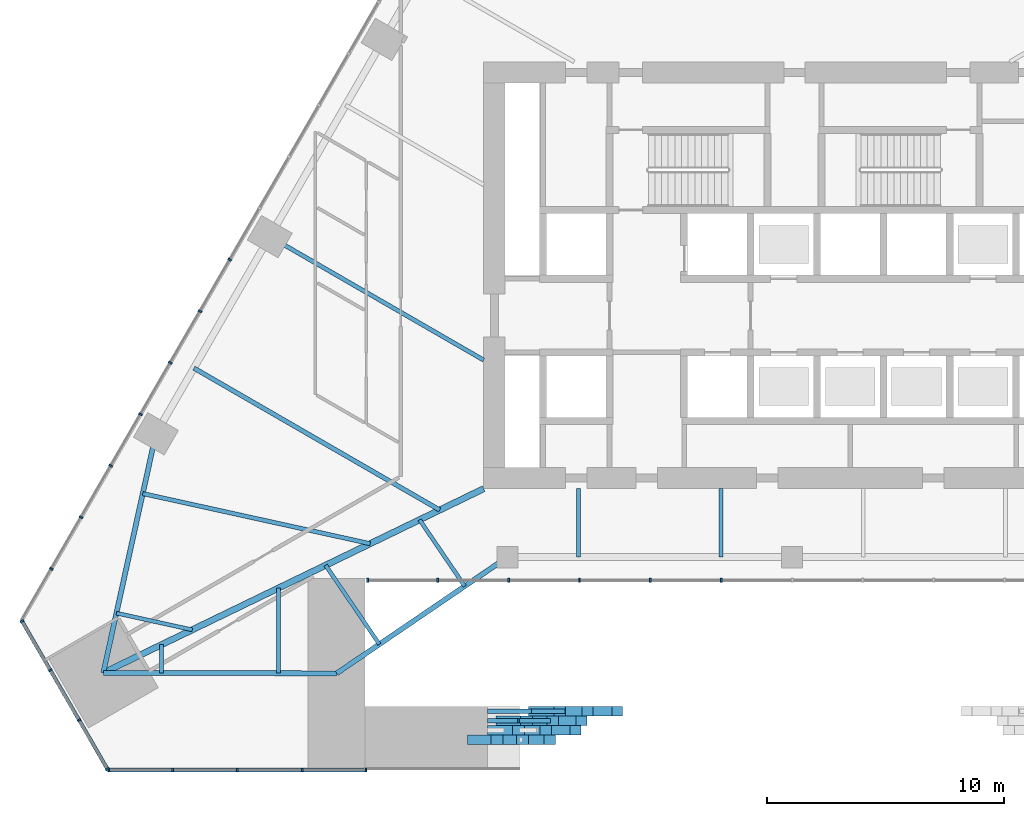
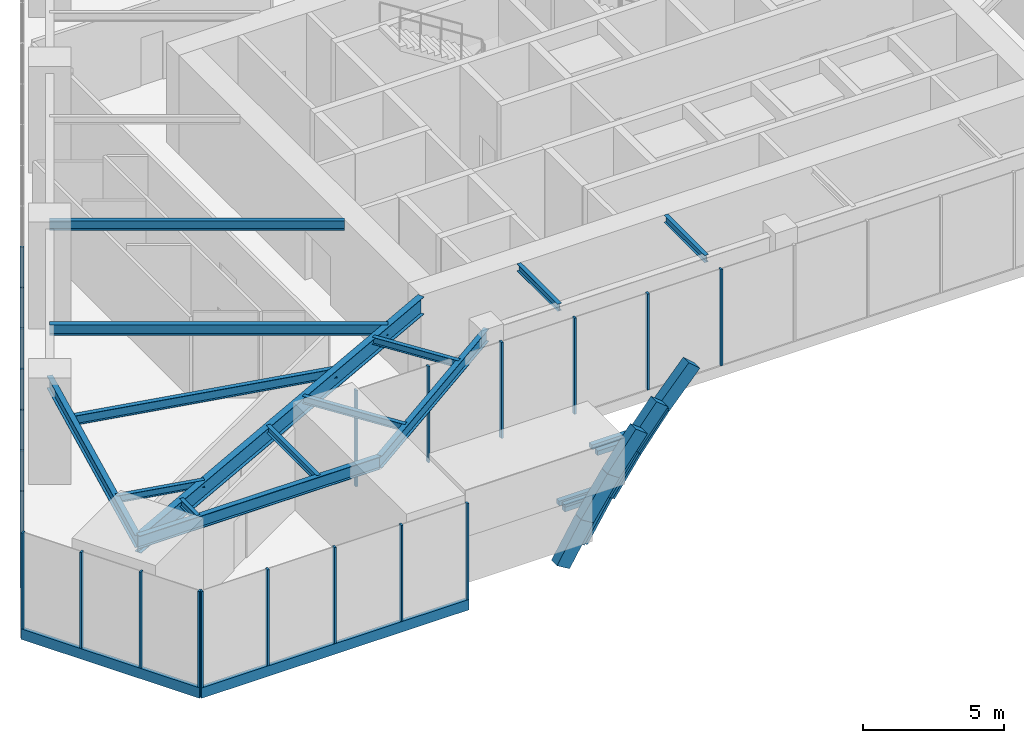
# One storey, part 3 of 29: 36 members, 19 beams, 4 elements without a shape of their own.
"""IFC4 building model written with IfcOpenShell, lengths in metres."""

from ifc_helpers import new_model, si_unit, direction, frame, origin, origin_2d, place, context, subcontext, project, spatial, rectangle, i_section, extrude, material, layer, layer_set, material_profile, profile_set, type_object, element, aggregate, save


model = new_model("IFC4")

# Units and contexts
model_context = context("Model", 3, precision=1e-05, world=origin(), true_north=direction((0.0, 1.0)))
body_context = subcontext(model_context, "Body", "Model", "MODEL_VIEW")
ifc_project = project(units=[si_unit("LENGTHUNIT", "METRE"), si_unit("AREAUNIT", "SQUARE_METRE"), si_unit("VOLUMEUNIT", "CUBIC_METRE"), si_unit("PLANEANGLEUNIT", "RADIAN"), si_unit("MASSUNIT", "GRAM", prefix="KILO")], contexts=[model_context])

# Site, building, storey
site_placement = place(None, origin())
site = spatial("IfcSite", under=ifc_project, at=site_placement, CompositionType="ELEMENT")
building_placement = place(site_placement, origin())
building = spatial("IfcBuilding", under=site, at=building_placement, Name="Firuza Gate Tower and Library", CompositionType="ELEMENT")
storey_placement = place(building_placement, frame((0.0, 0.0, 17.199951171875)))
storey = spatial("IfcBuildingStorey", under=building, at=storey_placement, Name="L03", CompositionType="ELEMENT", Elevation=17.199951171875)

# Members
ifc_material_1 = material(Name="Concrete C60/75", Category="concrete")
ifc_material_profile_1 = material_profile(ifc_material_1, rectangle(XDim=0.39990234375, YDim=0.60009765625, at=origin_2d()))
ifc_profile_set_1 = profile_set([ifc_material_profile_1], Name="Concrete C60/75")
member_type_1 = type_object("IfcMemberType", Name="Arch rib 600x400", PredefinedType="USERDEFINED", material=ifc_profile_set_1)
for number, where, z_axis, x_axis, name in (
    (1, (61.583251953125, 55.415283203125, -0.740234375), (0.511899506648, 0.0, 0.85904533937), (0.0, 1.0, 0.0), "Arch rib 1.10"),
    (2, (62.56103515625, 55.415283203125, 0.900634765625), (0.559674786195, 0.0, 0.828712334708), (0.0, 1.0, 0.0), "Arch rib 1.11"),
    (3, (63.630126953125, 55.415283203125, 2.483642578125), (0.605731233168, 0.0, 0.795669324007), (0.0, 1.0, 0.0), "Arch rib 1.12"),
):
    element("IfcMember", number, at=place(storey_placement, frame(where, z_axis=z_axis, x_axis=x_axis)), inside=storey, type_object=member_type_1, Name=name, ObjectType="ARCH RIB", PredefinedType="USERDEFINED", context=body_context, shape_type="SweptSolid", body=[
        extrude(rectangle(XDim=0.39990234375, YDim=0.60009765625, at=origin_2d()), origin(), (0.0, 0.0, 1.0), 1.91015625),
    ])
for number, where, z_axis, x_axis, name in (
    (4, (62.419677734375, 55.8154296875, -0.25537109375), (0.53270831624, 0.0, 0.846298912801), (0.0, 1.0, 0.0), "Arch rib 2.10"),
    (5, (63.471435546875, 55.8154296875, 1.41552734375), (0.581904715012, 0.0, 0.813256972086), (0.0, 1.0, 0.0), "Arch rib 2.11"),
    (6, (64.620361328125, 55.8154296875, 3.021240234375), (0.629013242328, 0.0, 0.777394585122), (0.0, 1.0, 0.0), "Arch rib 2.12"),
):
    element("IfcMember", number, at=place(storey_placement, frame(where, z_axis=z_axis, x_axis=x_axis)), inside=storey, type_object=member_type_1, Name=name, ObjectType="ARCH RIB", PredefinedType="USERDEFINED", context=body_context, shape_type="SweptSolid", body=[
        extrude(rectangle(XDim=0.39990234375, YDim=0.60009765625, at=origin_2d()), origin(), (0.0, 0.0, 1.0), 1.974365234375),
    ])
member_1_placement = place(storey_placement, frame((62.77880859375, 56.21533203125, -0.597412109375), z_axis=(0.528010455705, 0.0, 0.849237869308), x_axis=(0.0, 1.0, 0.0)))
element("IfcMember", 7, at=member_1_placement, inside=storey, type_object=member_type_1, Name="Arch rib 3.10", ObjectType="ARCH RIB", PredefinedType="USERDEFINED", context=body_context, shape_type="SweptSolid", body=[
    extrude(rectangle(XDim=0.39990234375, YDim=0.60009765625, at=origin_2d()), origin(), (0.0, 0.0, 1.0), 1.932861328125),
])
member_2_placement = place(storey_placement, frame((63.79931640625, 56.21533203125, 1.0439453125), z_axis=(0.576831985558, 0.0, 0.816862816167), x_axis=(0.0, 1.0, 0.0)))
element("IfcMember", 8, at=member_2_placement, inside=storey, type_object=member_type_1, Name="Arch rib 3.11", ObjectType="ARCH RIB", PredefinedType="USERDEFINED", context=body_context, shape_type="SweptSolid", body=[
    extrude(rectangle(XDim=0.39990234375, YDim=0.60009765625, at=origin_2d()), origin(), (0.0, 0.0, 1.0), 1.9326171875),
])
member_3_placement = place(storey_placement, frame((64.9140625, 56.21533203125, 2.62255859375), z_axis=(0.623600760544, 0.0, 0.781742982987), x_axis=(0.0, 1.0, 0.0)))
element("IfcMember", 9, at=member_3_placement, inside=storey, type_object=member_type_1, Name="Arch rib 3.12", ObjectType="ARCH RIB", PredefinedType="USERDEFINED", context=body_context, shape_type="SweptSolid", body=[
    extrude(rectangle(XDim=0.39990234375, YDim=0.60009765625, at=origin_2d()), origin(), (0.0, 0.0, 1.0), 1.932861328125),
])
member_4_placement = place(storey_placement, frame((64.12744140625, 56.615478515625, 0.6728515625), z_axis=(0.571450281234, 0.0, 0.820636689454), x_axis=(0.0, 1.0, 0.0)))
element("IfcMember", 10, at=member_4_placement, inside=storey, type_object=member_type_1, Name="Arch rib 4.11", ObjectType="ARCH RIB", PredefinedType="USERDEFINED", context=body_context, shape_type="SweptSolid", body=[
    extrude(rectangle(XDim=0.39990234375, YDim=0.60009765625, at=origin_2d()), origin(), (0.0, 0.0, 1.0), 1.890869140625),
])
for number, where, z_axis, x_axis, name in (
    (11, (65.2080078125, 56.615478515625, 2.224609375), (0.618123686429, 0.0, 0.786080853523), (0.0, 1.0, 0.0), "Arch rib 4.12"),
    (12, (66.376953125, 56.615478515625, 3.711181640625), (0.662534883834, 0.0, 0.749031059238), (0.0, 1.0, 0.0), "Arch rib 4.13"),
):
    element("IfcMember", number, at=place(storey_placement, frame(where, z_axis=z_axis, x_axis=x_axis)), inside=storey, type_object=member_type_1, Name=name, ObjectType="ARCH RIB", PredefinedType="USERDEFINED", context=body_context, shape_type="SweptSolid", body=[
        extrude(rectangle(XDim=0.39990234375, YDim=0.60009765625, at=origin_2d()), origin(), (0.0, 0.0, 1.0), 1.89111328125),
    ])

# Beams
ifc_material_2 = material(Name="Concrete C60/75", Category="concrete")
ifc_material_profile_2 = material_profile(ifc_material_2, rectangle(XDim=0.199951171875, YDim=0.199951171875, at=origin_2d()))
ifc_profile_set_2 = profile_set([ifc_material_profile_2], Name="Concrete C60/75")
beam_type_1 = type_object("IfcBeamType", Name="Arch rib bracket 200x200", PredefinedType="BEAM", material=ifc_profile_set_2)
beam_1_placement = place(storey_placement, frame((62.16552734375, 56.21533203125, 0.993896484375), z_axis=(1.0, 0.0, 0.0), x_axis=(0.0, 1.0, 0.0)))
element("IfcBeam", 13, at=beam_1_placement, inside=storey, type_object=beam_type_1, Name="Arch rib bracket 3.10", PredefinedType="BEAM", context=body_context, shape_type="SweptSolid", body=[
    extrude(rectangle(XDim=0.199951171875, YDim=0.199951171875, at=origin_2d()), origin(), (0.0, 0.0, 1.0), 1.259521484375),
])
beam_2_placement = place(storey_placement, frame((62.16552734375, 56.21533203125, 1.093994140625), z_axis=(1.0, 0.0, 0.0), x_axis=(0.0, 1.0, 0.0)))
element("IfcBeam", 14, at=beam_2_placement, inside=storey, type_object=beam_type_1, Name="Arch rib bracket 3.11", PredefinedType="BEAM", context=body_context, shape_type="SweptSolid", body=[
    extrude(rectangle(XDim=0.199951171875, YDim=0.199951171875, at=origin_2d()), origin(), (0.0, 0.0, 1.0), 1.311767578125),
])
beam_3_placement = place(storey_placement, frame((63.508056640625, 56.21533203125, 2.954833984375), z_axis=(1.0, 0.0, 0.0), x_axis=(0.0, 1.0, 0.0)))
element("IfcBeam", 15, at=beam_3_placement, inside=storey, type_object=beam_type_1, Name="Arch rib bracket 3.12", PredefinedType="BEAM", context=body_context, shape_type="SweptSolid", body=[
    extrude(rectangle(XDim=0.199951171875, YDim=0.199951171875, at=origin_2d()), origin(), (0.0, 0.0, 1.0), 1.29736328125),
])
beam_4_placement = place(storey_placement, frame((62.16552734375, 56.615478515625, 1.01318359375), z_axis=(1.0, 0.0, 0.0), x_axis=(0.0, 1.0, 0.0)))
element("IfcBeam", 16, at=beam_4_placement, inside=storey, type_object=beam_type_1, Name="Arch rib bracket 4.11", PredefinedType="BEAM", context=body_context, shape_type="SweptSolid", body=[
    extrude(rectangle(XDim=0.199951171875, YDim=0.199951171875, at=origin_2d()), origin(), (0.0, 0.0, 1.0), 1.84326171875),
])
beam_5_placement = place(storey_placement, frame((63.508056640625, 56.615478515625, 2.968017578125), z_axis=(1.0, 0.0, 0.0), x_axis=(0.0, 1.0, 0.0)))
element("IfcBeam", 17, at=beam_5_placement, inside=storey, type_object=beam_type_1, Name="Arch rib bracket 4.12", PredefinedType="BEAM", context=body_context, shape_type="SweptSolid", body=[
    extrude(rectangle(XDim=0.199951171875, YDim=0.199951171875, at=origin_2d()), origin(), (0.0, 0.0, 1.0), 1.912841796875),
])

# Curtain wall, members
ifc_material_3 = material(Name="Aluminium 6063-T6", Category="aluminium")
ifc_layer_1 = layer(ifc_material_3, 0.14990234375)
ifc_layer_set_1 = layer_set([ifc_layer_1], Name="Stick curtain wall, podium")
curtain_wall_type_1 = type_object("IfcCurtainWallType", Name="Stick curtain wall, podium", PredefinedType="NOTDEFINED", material=ifc_layer_set_1)
placement = place(storey_placement, origin())
curtain_wall_1 = element("IfcCurtainWall", 18, at=placement, inside=storey, type_object=curtain_wall_type_1, Name="CW5 L03 S", PredefinedType="NOTDEFINED")
ifc_material_4 = material(Name="Aluminium 6063-T6", Category="aluminium")
ifc_material_profile_3 = material_profile(ifc_material_4, rectangle(XDim=0.14990234375, YDim=0.080078125, at=origin_2d()))
ifc_profile_set_3 = profile_set([ifc_material_profile_3], Name="Aluminium 6063-T6")
member_type_2 = type_object("IfcMemberType", Name="Curtain wall mullion 80x150", PredefinedType="MULLION", material=ifc_profile_set_3)
member_5_placement = place(storey_placement, frame((46.19677734375, 54.140380859375, 0.150146484375), z_axis=(0.0, 0.0, 1.0), x_axis=(0.0, 1.0, 0.0)))
member_5 = element("IfcMember", 19, at=member_5_placement, type_object=member_type_2, Name="Mullion", PredefinedType="MULLION", context=body_context, shape_type="SweptSolid", body=[
    extrude(rectangle(XDim=0.14990234375, YDim=0.080078125, at=origin_2d()), origin(), (0.0, 0.0, 1.0), 4.14990234375),
])
member_6_placement = place(storey_placement, frame((48.88623046875, 54.140380859375, 0.150146484375), z_axis=(0.0, 0.0, 1.0), x_axis=(0.0, 1.0, 0.0)))
member_6 = element("IfcMember", 20, at=member_6_placement, type_object=member_type_2, Name="Mullion", PredefinedType="MULLION", context=body_context, shape_type="SweptSolid", body=[
    extrude(rectangle(XDim=0.14990234375, YDim=0.080078125, at=origin_2d()), origin(), (0.0, 0.0, 1.0), 4.14990234375),
])
member_7_placement = place(storey_placement, frame((51.615966796875, 54.140380859375, 0.150146484375), z_axis=(0.0, 0.0, 1.0), x_axis=(0.0, 1.0, 0.0)))
member_7 = element("IfcMember", 21, at=member_7_placement, type_object=member_type_2, Name="Mullion", PredefinedType="MULLION", context=body_context, shape_type="SweptSolid", body=[
    extrude(rectangle(XDim=0.14990234375, YDim=0.080078125, at=origin_2d()), origin(), (0.0, 0.0, 1.0), 4.14990234375),
])
member_8_placement = place(storey_placement, frame((54.345458984375, 54.140380859375, 0.150146484375), z_axis=(0.0, 0.0, 1.0), x_axis=(0.0, 1.0, 0.0)))
member_8 = element("IfcMember", 22, at=member_8_placement, type_object=member_type_2, Name="Mullion", PredefinedType="MULLION", context=body_context, shape_type="SweptSolid", body=[
    extrude(rectangle(XDim=0.14990234375, YDim=0.080078125, at=origin_2d()), origin(), (0.0, 0.0, 1.0), 4.14990234375),
])
member_9_placement = place(storey_placement, frame((57.034912109375, 54.140380859375, 0.150146484375), z_axis=(0.0, 0.0, 1.0), x_axis=(0.0, 1.0, 0.0)))
member_9 = element("IfcMember", 23, at=member_9_placement, type_object=member_type_2, Name="Mullion", PredefinedType="MULLION", context=body_context, shape_type="SweptSolid", body=[
    extrude(rectangle(XDim=0.14990234375, YDim=0.080078125, at=origin_2d()), origin(), (0.0, 0.0, 1.0), 4.14990234375),
])

ifc_material_5 = material(Name="Aluminium 6063-T6", Category="aluminium")
ifc_layer_2 = layer(ifc_material_5, 0.14990234375)
ifc_layer_set_2 = layer_set([ifc_layer_2], Name="Stick curtain wall, gate lobby")
curtain_wall_type_2 = type_object("IfcCurtainWallType", Name="Stick curtain wall, gate lobby", PredefinedType="NOTDEFINED", material=ifc_layer_set_2)
curtain_wall_2 = element("IfcCurtainWall", 24, at=placement, inside=storey, type_object=curtain_wall_type_2, Name="CW7 L03 gate lobby", PredefinedType="NOTDEFINED")
member_10_placement = place(storey_placement, frame((57.114990234375, 62.140380859375, 0.150146484375), z_axis=(0.0, 0.0, 1.0), x_axis=(0.0, 1.0, 0.0)))
member_10 = element("IfcMember", 25, at=member_10_placement, type_object=member_type_2, Name="Mullion", PredefinedType="MULLION", context=body_context, shape_type="SweptSolid", body=[
    extrude(rectangle(XDim=0.14990234375, YDim=0.080078125, at=origin_2d()), origin(), (0.0, 0.0, 1.0), 4.14990234375),
])
member_11_placement = place(storey_placement, frame((60.0625, 62.140380859375, 0.150146484375), z_axis=(0.0, 0.0, 1.0), x_axis=(0.0, 1.0, 0.0)))
member_11 = element("IfcMember", 26, at=member_11_placement, type_object=member_type_2, Name="Mullion", PredefinedType="MULLION", context=body_context, shape_type="SweptSolid", body=[
    extrude(rectangle(XDim=0.14990234375, YDim=0.080078125, at=origin_2d()), origin(), (0.0, 0.0, 1.0), 4.14990234375),
])
member_12_placement = place(storey_placement, frame((63.050048828125, 62.140380859375, 0.150146484375), z_axis=(0.0, 0.0, 1.0), x_axis=(0.0, 1.0, 0.0)))
member_12 = element("IfcMember", 27, at=member_12_placement, type_object=member_type_2, Name="Mullion", PredefinedType="MULLION", context=body_context, shape_type="SweptSolid", body=[
    extrude(rectangle(XDim=0.14990234375, YDim=0.080078125, at=origin_2d()), origin(), (0.0, 0.0, 1.0), 4.14990234375),
])
member_13_placement = place(storey_placement, frame((66.03759765625, 62.140380859375, 0.150146484375), z_axis=(0.0, 0.0, 1.0), x_axis=(0.0, 1.0, 0.0)))
member_13 = element("IfcMember", 28, at=member_13_placement, type_object=member_type_2, Name="Mullion", PredefinedType="MULLION", context=body_context, shape_type="SweptSolid", body=[
    extrude(rectangle(XDim=0.14990234375, YDim=0.080078125, at=origin_2d()), origin(), (0.0, 0.0, 1.0), 4.14990234375),
])
member_14_placement = place(storey_placement, frame((69.02490234375, 62.140380859375, 0.150146484375), z_axis=(0.0, 0.0, 1.0), x_axis=(0.0, 1.0, 0.0)))
member_14 = element("IfcMember", 29, at=member_14_placement, type_object=member_type_2, Name="Mullion", PredefinedType="MULLION", context=body_context, shape_type="SweptSolid", body=[
    extrude(rectangle(XDim=0.14990234375, YDim=0.080078125, at=origin_2d()), origin(), (0.0, 0.0, 1.0), 4.14990234375),
])
member_15_placement = place(storey_placement, frame((72.012451171875, 62.140380859375, 0.150146484375), z_axis=(0.0, 0.0, 1.0), x_axis=(0.0, 1.0, 0.0)))
member_15 = element("IfcMember", 30, at=member_15_placement, type_object=member_type_2, Name="Mullion", PredefinedType="MULLION", context=body_context, shape_type="SweptSolid", body=[
    extrude(rectangle(XDim=0.14990234375, YDim=0.080078125, at=origin_2d()), origin(), (0.0, 0.0, 1.0), 4.14990234375),
])
aggregate(curtain_wall_2, [member_10, member_11, member_12, member_13, member_14, member_15])

curtain_wall_3 = element("IfcCurtainWall", 31, at=placement, inside=storey, type_object=curtain_wall_type_1, Name="CW5 L03 W", PredefinedType="NOTDEFINED")
member_16_placement = place(storey_placement, frame((51.291748046875, 75.655517578125, 0.150146484375), z_axis=(0.0, 0.0, 1.0), x_axis=(0.866025403784, -0.5, 0.0)))
member_16 = element("IfcMember", 32, at=member_16_placement, type_object=member_type_2, Name="Mullion", PredefinedType="MULLION", context=body_context, shape_type="SweptSolid", body=[
    extrude(rectangle(XDim=0.14990234375, YDim=0.080078125, at=origin_2d()), origin(), (0.0, 0.0, 1.0), 4.14990234375),
])
member_17_placement = place(storey_placement, frame((50.037841796875, 73.4833984375, 0.150146484375), z_axis=(0.0, 0.0, 1.0), x_axis=(0.866025403784, -0.5, 0.0)))
member_17 = element("IfcMember", 33, at=member_17_placement, type_object=member_type_2, Name="Mullion", PredefinedType="MULLION", context=body_context, shape_type="SweptSolid", body=[
    extrude(rectangle(XDim=0.14990234375, YDim=0.080078125, at=origin_2d()), origin(), (0.0, 0.0, 1.0), 4.14990234375),
])
member_18_placement = place(storey_placement, frame((48.78369140625, 71.311279296875, 0.150146484375), z_axis=(0.0, 0.0, 1.0), x_axis=(0.866025403784, -0.5, 0.0)))
member_18 = element("IfcMember", 34, at=member_18_placement, type_object=member_type_2, Name="Mullion", PredefinedType="MULLION", context=body_context, shape_type="SweptSolid", body=[
    extrude(rectangle(XDim=0.14990234375, YDim=0.080078125, at=origin_2d()), origin(), (0.0, 0.0, 1.0), 4.14990234375),
])
member_19_placement = place(storey_placement, frame((47.529541015625, 69.13916015625, 0.150146484375), z_axis=(0.0, 0.0, 1.0), x_axis=(0.866025403784, -0.5, 0.0)))
member_19 = element("IfcMember", 35, at=member_19_placement, type_object=member_type_2, Name="Mullion", PredefinedType="MULLION", context=body_context, shape_type="SweptSolid", body=[
    extrude(rectangle(XDim=0.14990234375, YDim=0.080078125, at=origin_2d()), origin(), (0.0, 0.0, 1.0), 4.14990234375),
])
member_20_placement = place(storey_placement, frame((46.275634765625, 66.967041015625, 0.150146484375), z_axis=(0.0, 0.0, 1.0), x_axis=(0.866025403784, -0.5, 0.0)))
member_20 = element("IfcMember", 36, at=member_20_placement, type_object=member_type_2, Name="Mullion", PredefinedType="MULLION", context=body_context, shape_type="SweptSolid", body=[
    extrude(rectangle(XDim=0.14990234375, YDim=0.080078125, at=origin_2d()), origin(), (0.0, 0.0, 1.0), 4.14990234375),
])
member_21_placement = place(storey_placement, frame((45.021484375, 64.794921875, 0.150146484375), z_axis=(0.0, 0.0, 1.0), x_axis=(0.866025403784, -0.5, 0.0)))
member_21 = element("IfcMember", 37, at=member_21_placement, type_object=member_type_2, Name="Mullion", PredefinedType="MULLION", context=body_context, shape_type="SweptSolid", body=[
    extrude(rectangle(XDim=0.14990234375, YDim=0.080078125, at=origin_2d()), origin(), (0.0, 0.0, 1.0), 4.14990234375),
])
member_22_placement = place(storey_placement, frame((43.767333984375, 62.622802734375, 0.150146484375), z_axis=(0.0, 0.0, 1.0), x_axis=(0.866025403784, -0.5, 0.0)))
member_22 = element("IfcMember", 38, at=member_22_placement, type_object=member_type_2, Name="Mullion", PredefinedType="MULLION", context=body_context, shape_type="SweptSolid", body=[
    extrude(rectangle(XDim=0.14990234375, YDim=0.080078125, at=origin_2d()), origin(), (0.0, 0.0, 1.0), 4.14990234375),
])
aggregate(curtain_wall_3, [member_16, member_17, member_18, member_19, member_20, member_21, member_22])

curtain_wall_4 = element("IfcCurtainWall", 39, at=placement, inside=storey, type_object=curtain_wall_type_1, Name="CW5 L03 SW", PredefinedType="NOTDEFINED")
member_23_placement = place(storey_placement, frame((42.533447265625, 60.416015625, 0.150146484375), z_axis=(0.0, 0.0, 1.0), x_axis=(0.866025403784, 0.5, 0.0)))
member_23 = element("IfcMember", 40, at=member_23_placement, type_object=member_type_2, Name="Mullion", PredefinedType="MULLION", context=body_context, shape_type="SweptSolid", body=[
    extrude(rectangle(XDim=0.14990234375, YDim=0.080078125, at=origin_2d()), origin(), (0.0, 0.0, 1.0), 4.14990234375),
])
member_24_placement = place(storey_placement, frame((43.727783203125, 58.347412109375, 0.150146484375), z_axis=(0.0, 0.0, 1.0), x_axis=(0.866025403784, 0.5, 0.0)))
member_24 = element("IfcMember", 41, at=member_24_placement, type_object=member_type_2, Name="Mullion", PredefinedType="MULLION", context=body_context, shape_type="SweptSolid", body=[
    extrude(rectangle(XDim=0.14990234375, YDim=0.080078125, at=origin_2d()), origin(), (0.0, 0.0, 1.0), 4.14990234375),
])
member_25_placement = place(storey_placement, frame((44.9423828125, 56.243896484375, 0.150146484375), z_axis=(0.0, 0.0, 1.0), x_axis=(0.866025403784, 0.5, 0.0)))
member_25 = element("IfcMember", 42, at=member_25_placement, type_object=member_type_2, Name="Mullion", PredefinedType="MULLION", context=body_context, shape_type="SweptSolid", body=[
    extrude(rectangle(XDim=0.14990234375, YDim=0.080078125, at=origin_2d()), origin(), (0.0, 0.0, 1.0), 4.14990234375),
])
member_26_placement = place(storey_placement, frame((46.13671875, 54.175048828125, 0.150146484375), z_axis=(0.0, 0.0, 1.0), x_axis=(0.866025403784, 0.5, 0.0)))
member_26 = element("IfcMember", 43, at=member_26_placement, type_object=member_type_2, Name="Mullion", PredefinedType="MULLION", context=body_context, shape_type="SweptSolid", body=[
    extrude(rectangle(XDim=0.14990234375, YDim=0.080078125, at=origin_2d()), origin(), (0.0, 0.0, 1.0), 4.14990234375),
])

# Member
ifc_material_6 = material(Name="Aluminium 6063-T6", Category="aluminium")
ifc_material_profile_4 = material_profile(ifc_material_6, rectangle(XDim=0.14990234375, YDim=0.449951171875, at=origin_2d()))
ifc_profile_set_4 = profile_set([ifc_material_profile_4], Name="Aluminium 6063-T6")
member_type_3 = type_object("IfcMemberType", Name="Curtain wall transom 450x150", PredefinedType="USERDEFINED", material=ifc_profile_set_4)
member_27_placement = place(storey_placement, frame((46.15673828125, 54.140380859375, -0.074951171875), z_axis=(1.0, 0.0, 0.0), x_axis=(0.0, 1.0, 0.0)))
member_27 = element("IfcMember", 44, at=member_27_placement, type_object=member_type_3, Name="Transom", ObjectType="TRANSOM", PredefinedType="USERDEFINED", context=body_context, shape_type="SweptSolid", body=[
    extrude(rectangle(XDim=0.14990234375, YDim=0.449951171875, at=origin_2d()), origin(), (0.0, 0.0, 1.0), 10.918212890625),
])

aggregate(curtain_wall_1, [member_5, member_6, member_7, member_8, member_9, member_27])

member_28_placement = place(storey_placement, frame((42.513427734375, 60.45068359375, -0.074951171875), z_axis=(0.500005719219, -0.866022101766, 0.0), x_axis=(0.866022101766, 0.500005719219, 0.0)))
member_28 = element("IfcMember", 45, at=member_28_placement, type_object=member_type_3, Name="Transom", ObjectType="TRANSOM", PredefinedType="USERDEFINED", context=body_context, shape_type="SweptSolid", body=[
    extrude(rectangle(XDim=0.14990234375, YDim=0.449951171875, at=origin_2d()), origin(), (0.0, 0.0, 1.0), 7.28662109375),
])

aggregate(curtain_wall_4, [member_23, member_24, member_25, member_26, member_28])

# Beams
ifc_material_7 = material(Name="Steel S355", Category="steel")
ifc_material_profile_5 = material_profile(ifc_material_7, i_section(OverallWidth=0.1650390625, OverallDepth=0.31005859375, WebThickness=0.005859375, FlangeThickness=0.009765625, at=origin_2d()))
ifc_profile_set_5 = profile_set([ifc_material_profile_5], Name="Steel S355")
beam_type_2 = type_object("IfcBeamType", Name="W310x39 Floor beam", PredefinedType="JOIST", material=ifc_profile_set_5)
beam_6_placement = place(storey_placement, frame((46.513916015625, 60.75341796875, 4.14501953125), z_axis=(0.976601243751, -0.215058156564, 0.0), x_axis=(0.215058156564, 0.976601243751, 0.0)))
element("IfcBeam", 46, at=beam_6_placement, inside=storey, type_object=beam_type_2, Name="Floor beam L03 s01", PredefinedType="JOIST", context=body_context, shape_type="SweptSolid", body=[
    extrude(i_section(OverallWidth=0.1650390625, OverallDepth=0.31005859375, WebThickness=0.005859375, FlangeThickness=0.009765625, at=origin_2d()), origin(), (0.0, 0.0, 1.0), 3.27294921875),
])
beam_7_placement = place(storey_placement, frame((48.419189453125, 58.228759765625, 4.14501953125), z_axis=(0.00183635683, 0.999998313895, 0.0), x_axis=(-0.999998313895, 0.00183635683, 0.0)))
element("IfcBeam", 47, at=beam_7_placement, inside=storey, type_object=beam_type_2, Name="Floor beam L03 s10", PredefinedType="JOIST", context=body_context, shape_type="SweptSolid", body=[
    extrude(i_section(OverallWidth=0.1650390625, OverallDepth=0.31005859375, WebThickness=0.005859375, FlangeThickness=0.009765625, at=origin_2d()), origin(), (0.0, 0.0, 1.0), 1.196533203125),
])
beam_8_placement = place(storey_placement, frame((53.339599609375, 58.2197265625, 4.14501953125), z_axis=(0.001836107072, 0.999998314354, 0.0), x_axis=(-0.999998314354, 0.001836107072, 0.0)))
element("IfcBeam", 48, at=beam_8_placement, inside=storey, type_object=beam_type_2, Name="Floor beam L03 s11", PredefinedType="JOIST", context=body_context, shape_type="SweptSolid", body=[
    extrude(i_section(OverallWidth=0.1650390625, OverallDepth=0.31005859375, WebThickness=0.005859375, FlangeThickness=0.009765625, at=origin_2d()), origin(), (0.0, 0.0, 1.0), 3.590087890625),
])
beam_9_placement = place(storey_placement, frame((57.60009765625, 59.4404296875, 4.14501953125), z_axis=(-0.562657973934, 0.826689787265, 0.0), x_axis=(-0.826689787265, -0.562657973934, 0.0)))
element("IfcBeam", 49, at=beam_9_placement, inside=storey, type_object=beam_type_2, Name="Floor beam L03 s20", PredefinedType="JOIST", context=body_context, shape_type="SweptSolid", body=[
    extrude(i_section(OverallWidth=0.1650390625, OverallDepth=0.31005859375, WebThickness=0.005859375, FlangeThickness=0.009765625, at=origin_2d()), origin(), (0.0, 0.0, 1.0), 4.02978515625),
])
beam_10_placement = place(storey_placement, frame((61.199951171875, 61.890380859375, 4.14501953125), z_axis=(-0.562593933168, 0.826733370781, 0.0), x_axis=(-0.826733370781, -0.562593933168, 0.0)))
element("IfcBeam", 50, at=beam_10_placement, inside=storey, type_object=beam_type_2, Name="Floor beam L03 s21", PredefinedType="JOIST", context=body_context, shape_type="SweptSolid", body=[
    extrude(i_section(OverallWidth=0.1650390625, OverallDepth=0.31005859375, WebThickness=0.005859375, FlangeThickness=0.009765625, at=origin_2d()), origin(), (0.0, 0.0, 1.0), 3.386474609375),
])
for number, where, z_axis, x_axis, name in (
    (51, (66.0, 63.115478515625, 4.14501953125), (0.0, 1.0, 0.0), (-1.0, 0.0, 0.0), "Floor beam L03 s30"),
    (52, (72.0, 63.115478515625, 4.14501953125), (0.0, 1.0, 0.0), (-1.0, 0.0, 0.0), "Floor beam L03 s31"),
):
    element("IfcBeam", number, at=place(storey_placement, frame(where, z_axis=z_axis, x_axis=x_axis)), inside=storey, type_object=beam_type_2, Name=name, PredefinedType="JOIST", context=body_context, shape_type="SweptSolid", body=[
        extrude(i_section(OverallWidth=0.1650390625, OverallDepth=0.31005859375, WebThickness=0.005859375, FlangeThickness=0.009765625, at=origin_2d()), origin(), (0.0, 0.0, 1.0), 2.884521484375),
    ])
ifc_material_8 = material(Name="Steel S355", Category="steel")
ifc_material_profile_6 = material_profile(ifc_material_8, i_section(OverallWidth=0.177978515625, OverallDepth=0.406982421875, WebThickness=0.0078125, FlangeThickness=0.0126953125, at=origin_2d()))
ifc_profile_set_6 = profile_set([ifc_material_profile_6], Name="Steel S355")
beam_type_3 = type_object("IfcBeamType", Name="W410x60 Floor beam", PredefinedType="JOIST", material=ifc_profile_set_6)
beam_11_placement = place(storey_placement, frame((47.624267578125, 65.794189453125, 4.096435546875), z_axis=(0.97658964753, -0.215110809441, 0.0), x_axis=(0.215110809441, 0.97658964753, 0.0)))
element("IfcBeam", 53, at=beam_11_placement, inside=storey, type_object=beam_type_3, Name="Floor beam L03 s00", PredefinedType="JOIST", context=body_context, shape_type="SweptSolid", body=[
    extrude(i_section(OverallWidth=0.177978515625, OverallDepth=0.406982421875, WebThickness=0.0078125, FlangeThickness=0.0126953125, at=origin_2d()), origin(), (0.0, 0.0, 1.0), 9.818359375),
])
beam_12_placement = place(storey_placement, frame((52.9794921875, 76.62841796875, 4.096435546875), z_axis=(0.866024771944, -0.500001094379, 0.0), x_axis=(0.500001094379, 0.866024771944, 0.0)))
element("IfcBeam", 54, at=beam_12_placement, inside=storey, type_object=beam_type_3, Name="Floor beam L03 s104", PredefinedType="JOIST", context=body_context, shape_type="SweptSolid", body=[
    extrude(i_section(OverallWidth=0.177978515625, OverallDepth=0.406982421875, WebThickness=0.0078125, FlangeThickness=0.0126953125, at=origin_2d()), origin(), (0.0, 0.0, 1.0), 10.416015625),
])
ifc_material_9 = material(Name="Steel S355", Category="steel")
ifc_material_profile_7 = material_profile(ifc_material_9, i_section(OverallWidth=0.18994140625, OverallDepth=0.45703125, WebThickness=0.009033203125, FlangeThickness=0.014404296875, at=origin_2d()))
ifc_profile_set_7 = profile_set([ifc_material_profile_7], Name="Steel S355")
beam_type_4 = type_object("IfcBeamType", Name="W460x74 Floor beam", PredefinedType="JOIST", material=ifc_profile_set_7)
beam_13_placement = place(storey_placement, frame((49.779541015625, 71.0859375, 4.071533203125), z_axis=(0.866020154196, -0.500009092443, 0.0), x_axis=(0.500009092443, 0.866020154196, 0.0)))
element("IfcBeam", 55, at=beam_13_placement, inside=storey, type_object=beam_type_4, Name="Floor beam L03 s105", PredefinedType="JOIST", context=body_context, shape_type="SweptSolid", body=[
    extrude(i_section(OverallWidth=0.18994140625, OverallDepth=0.45703125, WebThickness=0.009033203125, FlangeThickness=0.014404296875, at=origin_2d()), origin(), (0.0, 0.0, 1.0), 11.968505859375),
])
ifc_material_10 = material(Name="Steel S355", Category="steel")
ifc_material_profile_8 = material_profile(ifc_material_10, i_section(OverallWidth=0.212890625, OverallDepth=0.5390625, WebThickness=0.01171875, FlangeThickness=0.018798828125, at=origin_2d()))
ifc_profile_set_8 = profile_set([ifc_material_profile_8], Name="Steel S355")
beam_type_5 = type_object("IfcBeamType", Name="W530x109 Edge beam", PredefinedType="SPANDREL", material=ifc_profile_set_8)
beam_14_placement = place(storey_placement, frame((48.179443359375, 68.314697265625, 4.030517578125), z_axis=(-0.215117130091, -0.976588255275, 0.0), x_axis=(0.976588255275, -0.215117130091, 0.0)))
element("IfcBeam", 56, at=beam_14_placement, inside=storey, type_object=beam_type_5, Name="Edge beam L03 e00", PredefinedType="SPANDREL", context=body_context, shape_type="SweptSolid", body=[
    extrude(i_section(OverallWidth=0.212890625, OverallDepth=0.5390625, WebThickness=0.01171875, FlangeThickness=0.018798828125, at=origin_2d()), origin(), (0.0, 0.0, 1.0), 10.3232421875),
])
beam_15_placement = place(storey_placement, frame((45.958740234375, 58.233154296875, 4.030517578125), z_axis=(0.999998360207, -0.001810962051, 0.0), x_axis=(0.001810962051, 0.999998360207, 0.0)))
element("IfcBeam", 57, at=beam_15_placement, inside=storey, type_object=beam_type_5, Name="Edge beam L03 e10", PredefinedType="SPANDREL", context=body_context, shape_type="SweptSolid", body=[
    extrude(i_section(OverallWidth=0.212890625, OverallDepth=0.5390625, WebThickness=0.01171875, FlangeThickness=0.018798828125, at=origin_2d()), origin(), (0.0, 0.0, 1.0), 9.84130859375),
])
beam_16_placement = place(storey_placement, frame((55.800048828125, 58.21533203125, 4.030517578125), z_axis=(0.826703281934, 0.562638146272, 0.0), x_axis=(-0.562638146272, 0.826703281934, 0.0)))
element("IfcBeam", 58, at=beam_16_placement, inside=storey, type_object=beam_type_5, Name="Edge beam L03 e20", PredefinedType="SPANDREL", context=body_context, shape_type="SweptSolid", body=[
    extrude(i_section(OverallWidth=0.212890625, OverallDepth=0.5390625, WebThickness=0.01171875, FlangeThickness=0.018798828125, at=origin_2d()), origin(), (0.0, 0.0, 1.0), 8.709228515625),
])
ifc_material_11 = material(Name="Steel S355", Category="steel")
ifc_material_profile_9 = material_profile(ifc_material_11, i_section(OverallWidth=0.264892578125, OverallDepth=0.7529296875, WebThickness=0.01318359375, FlangeThickness=0.01708984375, at=origin_2d()))
ifc_profile_set_9 = profile_set([ifc_material_profile_9], Name="Steel S355")
beam_type_6 = type_object("IfcBeamType", Name="W760x147 Girder", PredefinedType="BEAM", material=ifc_profile_set_9)
beam_17_placement = place(storey_placement, frame((45.958740234375, 58.233154296875, 3.923583984375), z_axis=(0.900050421894, 0.43578577082, 0.0), x_axis=(-0.43578577082, 0.900050421894, 0.0)))
element("IfcBeam", 59, at=beam_17_placement, inside=storey, type_object=beam_type_6, Name="Girder L03 gSW", PredefinedType="BEAM", context=body_context, shape_type="SweptSolid", body=[
    extrude(i_section(OverallWidth=0.264892578125, OverallDepth=0.7529296875, WebThickness=0.01318359375, FlangeThickness=0.01708984375, at=origin_2d()), origin(), (0.0, 0.0, 1.0), 17.822509765625),
])

save(model, "model.ifc")
